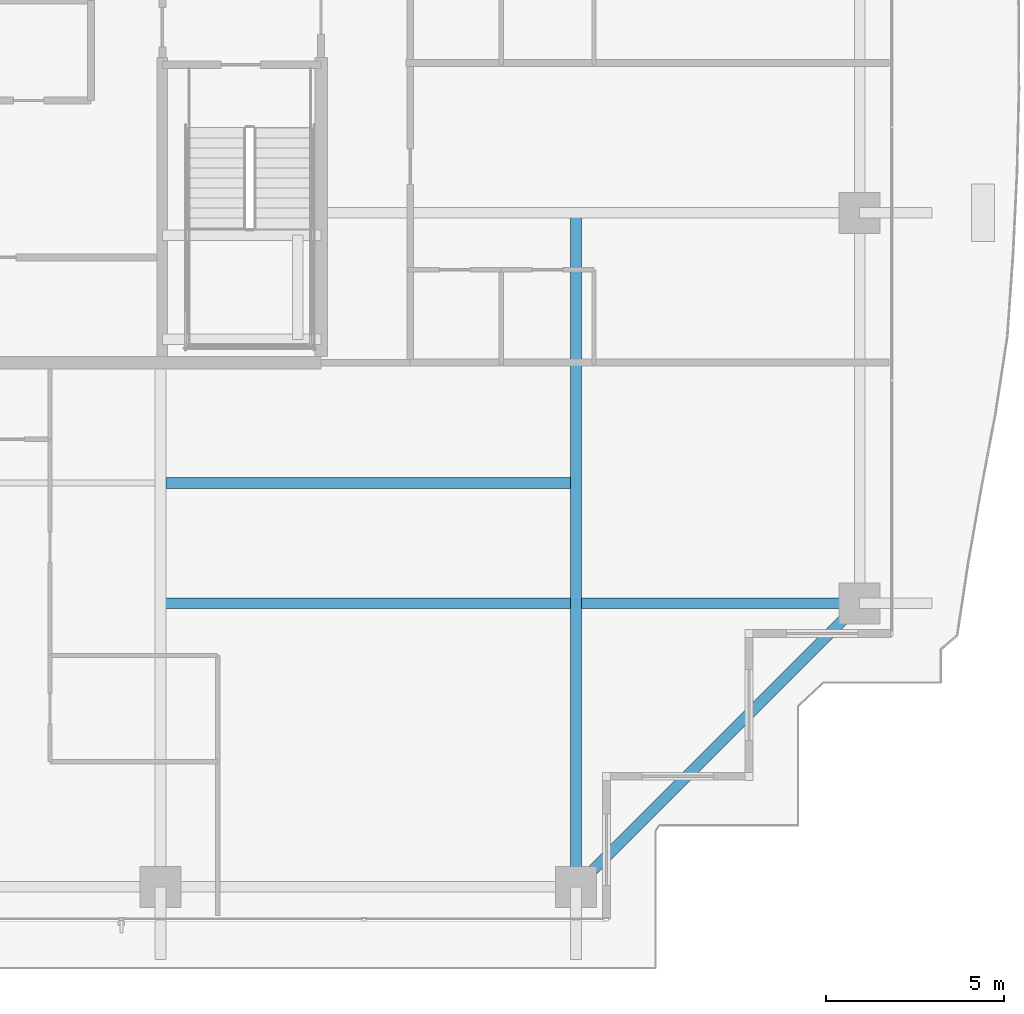
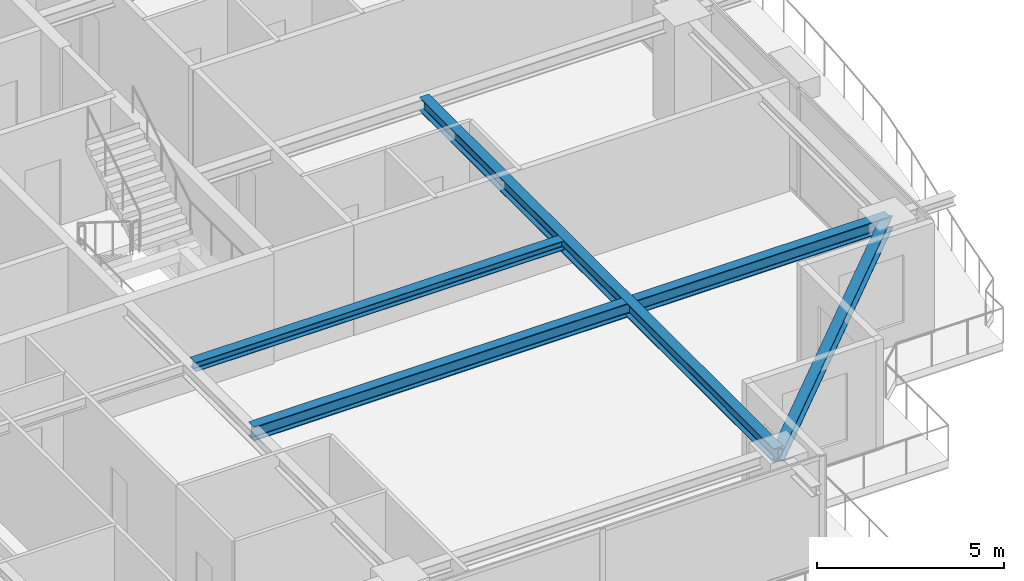
# One storey, part 12 of 38: 4 beams.
"""IFC4 building model written with IfcOpenShell, lengths in metres."""

import ifcopenshell
import ifcopenshell.guid

model = None  # the IFC model being written
_history = None  # IfcOwnerHistory: only IFC2X3 demands one
_inside = {}  # id of a spatial element -> (the spatial element, [elements in it])
_under = {}  # id of a project, library or spatial element -> (it, [spatial elements below it])
_declared = {}  # id of a project -> (the project, [libraries it declares])
_typed = {}  # id of a type object -> (the type object, [elements of that type])
_made_of = {}  # id of a material, layer set ... -> (it, [elements and type objects made of it])


def new_model(schema):
    """Start an empty IFC model of exactly this schema.

    Asked for "IFC4X3", IfcOpenShell would pick the latest addendum, in which some entities
    have other attributes; the version numbers below select the first issue.
    IFC2X3 requires an IfcOwnerHistory on every rooted entity: one is made here for all.
    """
    global model, _history
    if schema == "IFC4X3":
        model = ifcopenshell.file(schema_version=(4, 3, 0, 0))
    else:
        model = ifcopenshell.file(schema=schema)
    _inside.clear()
    _under.clear()
    _declared.clear()
    _typed.clear()
    _made_of.clear()
    _history = None
    if model.schema == "IFC2X3":
        org = make("IfcOrganization", Name="unknown")
        user = make(
            "IfcPersonAndOrganization",
            ThePerson=make("IfcPerson", FamilyName="unknown"),
            TheOrganization=org,
        )
        app = make(
            "IfcApplication",
            ApplicationDeveloper=org,
            Version="unknown",
            ApplicationFullName="unknown",
            ApplicationIdentifier="unknown",
        )
        _history = make(
            "IfcOwnerHistory",
            OwningUser=user,
            OwningApplication=app,
            ChangeAction="ADDED",
            CreationDate=0,
        )
    return model


def make(cls, **values):
    """One entity of the class cls with the attributes given. An attribute that is None is left unset."""
    return model.create_entity(
        cls, **{name: value for name, value in values.items() if value is not None}
    )


def rooted(cls, **values):
    """An entity with a GlobalId (a new one), such as an element, a storey or a relation."""
    return make(cls, GlobalId=ifcopenshell.guid.new(), OwnerHistory=_history, **values)


def si_unit(unit_type, name, prefix=None):
    """IfcSIUnit, for example si_unit("LENGTHUNIT", "METRE", prefix="MILLI")."""
    return make("IfcSIUnit", UnitType=unit_type, Prefix=prefix, Name=name)


def assignment(units):
    """IfcUnitAssignment: the units of a project."""
    return None if units is None else make("IfcUnitAssignment", Units=units)


def point(xyz):
    """IfcCartesianPoint."""
    return None if xyz is None else make("IfcCartesianPoint", Coordinates=xyz)


def direction(xyz):
    """IfcDirection."""
    return None if xyz is None else make("IfcDirection", DirectionRatios=xyz)


def frame(location, z_axis=None, x_axis=None):
    """IfcAxis2Placement3D, a coordinate frame: its origin and axes. An axis left out is left unset."""
    return make(
        "IfcAxis2Placement3D",
        Location=point(location),
        Axis=direction(z_axis),
        RefDirection=direction(x_axis),
    )


def frame_2d(location, x_axis=None):
    """IfcAxis2Placement2D, a coordinate frame in the plane: its origin and x axis."""
    return make(
        "IfcAxis2Placement2D", Location=point(location), RefDirection=direction(x_axis)
    )


def origin():
    """The frame at (0, 0, 0) with its axes left unset."""
    return frame((0.0, 0.0, 0.0))


def origin_2d():
    """The frame at (0, 0) in the plane with its x axis left unset."""
    return frame_2d((0.0, 0.0))


def place(relative_to, where):
    """IfcLocalPlacement: puts the frame where relative to a parent placement (None: the world)."""
    return make(
        "IfcLocalPlacement", PlacementRelTo=relative_to, RelativePlacement=where
    )


def context(
    kind, dimensions, precision=None, world=None, true_north=None, identifier=None
):
    """IfcGeometricRepresentationContext, for example the 3D "Model" context."""
    return make(
        "IfcGeometricRepresentationContext",
        ContextIdentifier=identifier,
        ContextType=kind,
        CoordinateSpaceDimension=dimensions,
        Precision=precision,
        WorldCoordinateSystem=world,
        TrueNorth=true_north,
    )


def subcontext(parent, identifier, kind, view, scale=None):
    """IfcGeometricRepresentationSubContext, for example "Body" below "Model"."""
    return make(
        "IfcGeometricRepresentationSubContext",
        ContextIdentifier=identifier,
        ContextType=kind,
        ParentContext=parent,
        TargetScale=scale,
        TargetView=view,
    )


def project(units=None, contexts=None):
    """IfcProject with its units and contexts."""
    return rooted(
        "IfcProject",
        Name="project",
        RepresentationContexts=contexts,
        UnitsInContext=assignment(units),
    )


def spatial(cls, under=None, at=None, **own):
    """A site, building, storey or space (cls), placed at a placement, below another one or the project."""
    s = rooted(cls, ObjectPlacement=at, **own)
    if under is not None:
        _under.setdefault(under.id(), (under, []))[1].append(s)
    return s


def profile(cls, at=None, kind="AREA", **sizes):
    """A parametric profile (cls). Its sizes go by their IFC names, for example OverallWidth=200.0."""
    return make(cls, ProfileType=kind, Position=at, **sizes)


def i_section(**sizes):
    """IfcIShapeProfileDef."""
    return profile("IfcIShapeProfileDef", **sizes)


def extrude(swept, where, along, depth):
    """IfcExtrudedAreaSolid: the profile swept, set in the frame where, extruded along a direction by depth."""
    return make(
        "IfcExtrudedAreaSolid",
        SweptArea=swept,
        Position=where,
        ExtrudedDirection=direction(along),
        Depth=depth,
    )


def shape(context_of_items, identifier, shape_type, items):
    """IfcShapeRepresentation: the items that make up one representation, for example the "Body"."""
    return make(
        "IfcShapeRepresentation",
        ContextOfItems=context_of_items,
        RepresentationIdentifier=identifier,
        RepresentationType=shape_type,
        Items=items,
    )


def source(mapping_origin, context_of_items, identifier, shape_type, items):
    """IfcRepresentationMap: a shape defined once, which mapped items show again and again."""
    return make(
        "IfcRepresentationMap",
        MappingOrigin=mapping_origin,
        MappedRepresentation=shape(context_of_items, identifier, shape_type, items),
    )


def transform(
    local_origin,
    x_axis=None,
    y_axis=None,
    z_axis=None,
    scale=None,
    scale2=None,
    scale3=None,
    uniform=True,
):
    """IfcCartesianTransformationOperator3D, or its non-uniform kind. x_axis, y_axis, z_axis: its Axis1, 2, 3."""
    if uniform:
        return make(
            "IfcCartesianTransformationOperator3D",
            Axis1=direction(x_axis),
            Axis2=direction(y_axis),
            LocalOrigin=point(local_origin),
            Scale=scale,
            Axis3=direction(z_axis),
        )
    return make(
        "IfcCartesianTransformationOperator3DnonUniform",
        Axis1=direction(x_axis),
        Axis2=direction(y_axis),
        LocalOrigin=point(local_origin),
        Scale=scale,
        Axis3=direction(z_axis),
        Scale2=scale2,
        Scale3=scale3,
    )


def mapped(mapping_source, mapping_target):
    """IfcMappedItem: shows the shape of a source again, moved by a transform."""
    return make(
        "IfcMappedItem", MappingSource=mapping_source, MappingTarget=mapping_target
    )


def material(Name=None, Category=None):
    """IfcMaterial."""
    return make("IfcMaterial", Name=Name, Category=Category)


def material_profile(
    of_material, cross_section, Name=None, Category=None, Priority=None
):
    """IfcMaterialProfile: a cross section and its material."""
    return make(
        "IfcMaterialProfile",
        Name=Name,
        Material=of_material,
        Profile=cross_section,
        Priority=Priority,
        Category=Category,
    )


def profile_set(profiles, Name=None, composite=None):
    """IfcMaterialProfileSet."""
    return make(
        "IfcMaterialProfileSet",
        Name=Name,
        MaterialProfiles=profiles,
        CompositeProfile=composite,
    )


def made_of(thing, what):
    """Note that an element or type object is made of a material, layer set ...; save() writes the relation."""
    if what is not None:
        _made_of.setdefault(what.id(), (what, []))[1].append(thing)
    return thing


def type_object(cls, material=None, **own):
    """A type object (cls), such as IfcWallType, which elements share."""
    return made_of(rooted(cls, **own), material)


def element(
    cls,
    number,
    at=None,
    inside=None,
    cuts=None,
    type_object=None,
    material=None,
    context=None,
    identifier="Body",
    shape_type=None,
    held_by="IfcProductDefinitionShape",
    body=None,
    shapes=None,
    **own,
):
    """One element of the class cls, such as IfcWall. Its Tag is "e" and its number.

    at: its placement. inside: the storey or other place that contains it. cuts: it is an
    opening in that element (IfcRelVoidsElement). A single representation is given by context,
    identifier, shape_type and body (its items); several are given by shapes. held_by: the class
    of the entity that holds the representations. save() writes the other relations.
    """
    e = rooted(cls, Tag="e%d" % number, ObjectPlacement=at, **own)
    if body is not None:
        shapes = [shape(context, identifier, shape_type, body)]
    if shapes is not None:
        e.Representation = make(held_by, Representations=shapes)
    if inside is not None:
        _inside.setdefault(inside.id(), (inside, []))[1].append(e)
    if cuts is not None:
        rooted(
            "IfcRelVoidsElement", RelatingBuildingElement=cuts, RelatedOpeningElement=e
        )
    if type_object is not None:
        _typed.setdefault(type_object.id(), (type_object, []))[1].append(e)
    return made_of(e, material)


def aggregate(whole, parts):
    """IfcRelAggregates: a whole, such as a stair, and the parts it consists of."""
    return rooted("IfcRelAggregates", RelatingObject=whole, RelatedObjects=parts)


def save(model, path):
    """Write the relations noted so far, then the file.

    IfcRelAggregates (storeys below a building ...), IfcRelContainedInSpatialStructure (elements
    in a storey), IfcRelDefinesByType, IfcRelAssociatesMaterial and IfcRelDeclares: one each for
    every whole, place, type object, material and project.
    """
    for whole, parts in _under.values():
        aggregate(whole, parts)
    for where, things in _inside.values():
        rooted(
            "IfcRelContainedInSpatialStructure",
            RelatedElements=things,
            RelatingStructure=where,
        )
    for kind, things in _typed.values():
        rooted("IfcRelDefinesByType", RelatedObjects=things, RelatingType=kind)
    for what, things in _made_of.values():
        rooted("IfcRelAssociatesMaterial", RelatedObjects=things, RelatingMaterial=what)
    for by, libraries in _declared.values():
        rooted("IfcRelDeclares", RelatingContext=by, RelatedDefinitions=libraries)
    model.write(path)


model = new_model("IFC4")

# Units and contexts
model_context = context("Model", 3, precision=1e-05, world=origin(), true_north=direction((0.0, 1.0)))
body_context = subcontext(model_context, "Body", "Model", "MODEL_VIEW")
ifc_project = project(units=[si_unit("LENGTHUNIT", "METRE"), si_unit("AREAUNIT", "SQUARE_METRE"), si_unit("VOLUMEUNIT", "CUBIC_METRE"), si_unit("PLANEANGLEUNIT", "RADIAN"), si_unit("MASSUNIT", "GRAM", prefix="KILO")], contexts=[model_context])

# Site, building, storey
site_placement = place(None, origin())
site = spatial("IfcSite", under=ifc_project, at=site_placement, CompositionType="ELEMENT")
building_placement = place(site_placement, origin())
building = spatial("IfcBuilding", under=site, at=building_placement, Name="Serunith Strait Residences", CompositionType="ELEMENT")
storey_placement = place(building_placement, frame((0.0, 0.0, 264.35009765625)))
storey = spatial("IfcBuildingStorey", under=building, at=storey_placement, Name="L66", CompositionType="ELEMENT", Elevation=264.35009765625)

# Beams
ifc_material = material(Name="Steel S355J2", Category="steel")
ifc_material_profile_1 = material_profile(ifc_material, i_section(OverallWidth=0.300048828125, OverallDepth=0.449951171875, WebThickness=0.013916015625, FlangeThickness=0.02587890625, FilletRadius=0.027099609375, at=origin_2d()), Name="HEB 450")
ifc_profile_set_1 = profile_set([ifc_material_profile_1], Name="Steel S355J2")
beam_type_1 = type_object("IfcBeamType", Name="BM-HEB450", PredefinedType="BEAM", material=ifc_profile_set_1)
shared_shape_1 = source(origin(), body_context, "Body", "SweptSolid", [
    extrude(i_section(OverallWidth=0.300048828125, OverallDepth=0.449951171875, WebThickness=0.013916015625, FlangeThickness=0.02587890625, FilletRadius=0.027099609375, at=origin_2d()), origin(), (0.0, 0.0, 1.0), 18.89990234375),
])
beam_1_placement = place(storey_placement, frame((48.550048828125, 21.0, 3.36181640625), z_axis=(0.0, -1.0, 0.0), x_axis=(1.0, 0.0, 0.0)))
element("IfcBeam", 1, at=beam_1_placement, inside=storey, type_object=beam_type_1, Name="L66 Orthogonal Corner Girder TC-S4", PredefinedType="BEAM", context=body_context, shape_type="MappedRepresentation", body=[
    mapped(shared_shape_1, transform((0.0, 0.0, 0.0), scale=1.0)),
])
shared_shape_2 = source(origin(), body_context, "Body", "SweptSolid", [
    extrude(i_section(OverallWidth=0.300048828125, OverallDepth=0.449951171875, WebThickness=0.013916015625, FlangeThickness=0.02587890625, FilletRadius=0.027099609375, at=origin_2d()), origin(), (0.0, 0.0, 1.0), 19.60009765625),
])
beam_2_placement = place(storey_placement, frame((36.89990234375, 10.050048828125, 3.36181640625), z_axis=(1.0, 0.0, 0.0), x_axis=(0.0, 1.0, 0.0)))
element("IfcBeam", 2, at=beam_2_placement, inside=storey, type_object=beam_type_1, Name="L66 Orthogonal Corner Girder TC-E1", PredefinedType="BEAM", context=body_context, shape_type="MappedRepresentation", body=[
    mapped(shared_shape_2, transform((0.0, 0.0, 0.0), scale=1.0)),
])
ifc_material_profile_2 = material_profile(ifc_material, i_section(OverallWidth=0.300048828125, OverallDepth=0.39990234375, WebThickness=0.013427734375, FlangeThickness=0.02392578125, FilletRadius=0.027099609375, at=origin_2d()), Name="HEB 400")
ifc_profile_set_2 = profile_set([ifc_material_profile_2], Name="Steel S355J2")
beam_type_2 = type_object("IfcBeamType", Name="BM-HEB400", PredefinedType="BEAM", material=ifc_profile_set_2)
shared_shape_3 = source(origin(), body_context, "Body", "SweptSolid", [
    extrude(i_section(OverallWidth=0.300048828125, OverallDepth=0.39990234375, WebThickness=0.013427734375, FlangeThickness=0.02392578125, FilletRadius=0.027099609375, at=origin_2d()), origin(), (0.0, 0.0, 1.0), 11.242919921875),
])
beam_3_placement = place(storey_placement, frame((48.550048828125, 2.10009765625, 3.35693359375), z_axis=(0.707106781187, 0.707106781187, 0.0), x_axis=(-0.707106781187, 0.707106781187, 0.0)))
element("IfcBeam", 3, at=beam_3_placement, inside=storey, type_object=beam_type_2, Name="L66 Perimeter Ring Beam 04", PredefinedType="BEAM", context=body_context, shape_type="MappedRepresentation", body=[
    mapped(shared_shape_3, transform((0.0, 0.0, 0.0), scale=1.0)),
])
ifc_material_profile_3 = material_profile(ifc_material, i_section(OverallWidth=0.300048828125, OverallDepth=0.300048828125, WebThickness=0.010986328125, FlangeThickness=0.01904296875, FilletRadius=0.027099609375, at=origin_2d()), Name="HEB 300")
ifc_profile_set_3 = profile_set([ifc_material_profile_3], Name="Steel S355J2")
beam_type_3 = type_object("IfcBeamType", Name="BM-HEB300", PredefinedType="JOIST", material=ifc_profile_set_3)
shared_shape_4 = source(origin(), body_context, "Body", "SweptSolid", [
    extrude(i_section(OverallWidth=0.300048828125, OverallDepth=0.300048828125, WebThickness=0.010986328125, FlangeThickness=0.01904296875, FilletRadius=0.027099609375, at=origin_2d()), origin(), (0.0, 0.0, 1.0), 11.349853515625),
])
beam_4_placement = place(storey_placement, frame((37.050048828125, 13.425048828125, 3.43701171875), z_axis=(1.0, 0.0, 0.0), x_axis=(0.0, 1.0, 0.0)))
element("IfcBeam", 4, at=beam_4_placement, inside=storey, type_object=beam_type_3, Name="L66 Composite Floor Joist 03", PredefinedType="JOIST", context=body_context, shape_type="MappedRepresentation", body=[
    mapped(shared_shape_4, transform((0.0, 0.0, 0.0), scale=1.0)),
])

save(model, "model.ifc")
